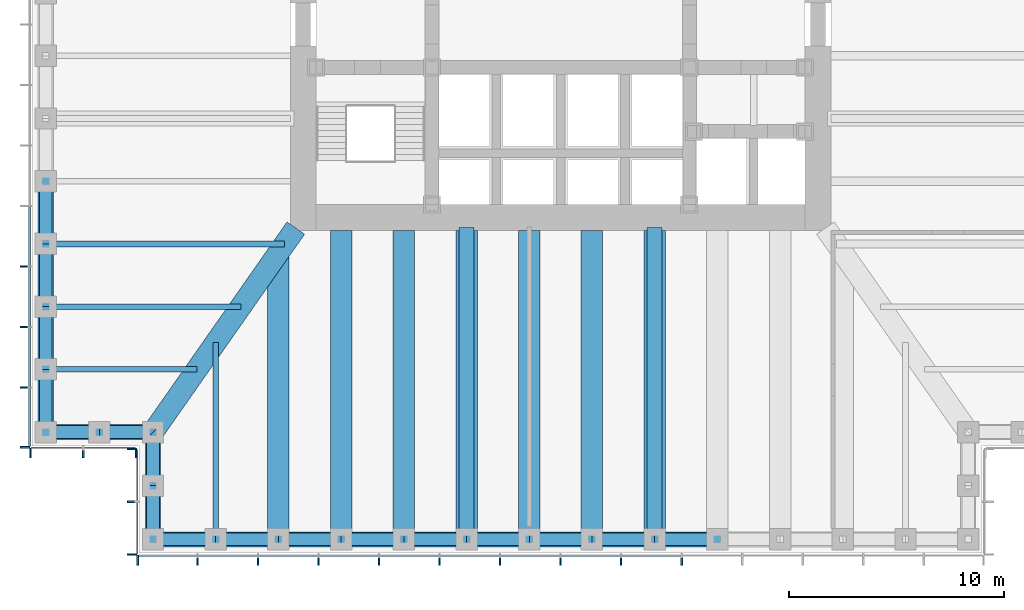
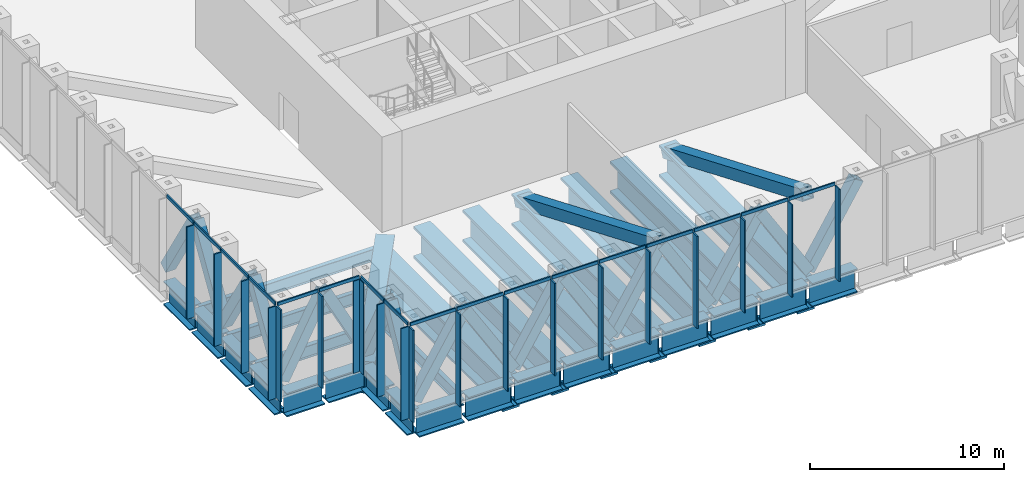
# One storey, part 2 of 15: 56 members, 29 beams, 4 elements without a shape of their own.
"""IFC4 building model written with IfcOpenShell, lengths in metres."""

from ifc_helpers import new_model, si_unit, direction, frame, origin, origin_2d, place, context, subcontext, project, spatial, rectangle, hollow_rectangle, i_section, extrude, material, material_profile, profile_set, type_object, element, aggregate, save


model = new_model("IFC4")

# Units and contexts
model_context = context("Model", 3, precision=1e-05, world=origin(), true_north=direction((0.0, 1.0)))
body_context = subcontext(model_context, "Body", "Model", "MODEL_VIEW")
ifc_project = project(units=[si_unit("LENGTHUNIT", "METRE"), si_unit("AREAUNIT", "SQUARE_METRE"), si_unit("VOLUMEUNIT", "CUBIC_METRE"), si_unit("PLANEANGLEUNIT", "RADIAN"), si_unit("MASSUNIT", "GRAM", prefix="KILO")], contexts=[model_context])

# Site, building, storey
site_placement = place(None, origin())
site = spatial("IfcSite", under=ifc_project, at=site_placement, CompositionType="ELEMENT")
building_placement = place(site_placement, origin())
building = spatial("IfcBuilding", under=site, at=building_placement, Name="Daluyong Arena Tower", CompositionType="ELEMENT")
storey_placement = place(building_placement, frame((0.0, 0.0, 102.10009765625)))
storey = spatial("IfcBuildingStorey", under=building, at=storey_placement, Name="L22", CompositionType="ELEMENT", Elevation=102.10009765625)

# Members
ifc_material_1 = material(Name="Steel ASTM A572 Grade 50", Category="steel")
ifc_material_profile_1 = material_profile(ifc_material_1, hollow_rectangle(XDim=0.60009765625, YDim=0.60009765625, WallThickness=0.05, at=origin_2d()))
ifc_profile_set_1 = profile_set([ifc_material_profile_1], Name="Steel ASTM A572 Grade 50")
member_type_1 = type_object("IfcMemberType", Name="Belt truss diagonal BX600X50", PredefinedType="BRACE", material=ifc_profile_set_1)
for number, where, z_axis, x_axis, name in (
    (1, (37.0, 56.0, 0.5), (0.524099867959, 0.0, 0.851656813749), (0.0, 1.0, 0.0), "belt truss diagonal BT1"),
    (2, (42.84619140625, 56.0, 0.5), (-0.524099867959, 0.0, 0.851656813749), (0.0, -1.0, 0.0), "belt truss diagonal BT1"),
    (3, (42.84619140625, 56.0, 0.5), (0.524099867959, 0.0, 0.851656813749), (0.0, 1.0, 0.0), "belt truss diagonal BT1"),
    (4, (48.6923828125, 56.0, 0.5), (-0.524099867959, 0.0, 0.851656813749), (0.0, -1.0, 0.0), "belt truss diagonal BT1"),
    (5, (48.6923828125, 56.0, 0.5), (0.524099867959, 0.0, 0.851656813749), (0.0, 1.0, 0.0), "belt truss diagonal BT1"),
    (6, (54.53857421875, 56.0, 0.5), (-0.524099867959, 0.0, 0.851656813749), (0.0, -1.0, 0.0), "belt truss diagonal BT1"),
):
    element("IfcMember", number, at=place(storey_placement, frame(where, z_axis=z_axis, x_axis=x_axis)), inside=storey, type_object=member_type_1, Name=name, PredefinedType="BRACE", context=body_context, shape_type="SweptSolid", body=[
        extrude(hollow_rectangle(XDim=0.60009765625, YDim=0.60009765625, WallThickness=0.05, at=origin_2d()), origin(), (0.0, 0.0, 1.0), 5.577392578125),
    ])
member_1_placement = place(storey_placement, frame((54.53857421875, 56.0, 0.5), z_axis=(0.524068117116, 0.0, 0.851676352039), x_axis=(0.0, 1.0, 0.0)))
element("IfcMember", 7, at=member_1_placement, inside=storey, type_object=member_type_1, Name="belt truss diagonal BT1", PredefinedType="BRACE", context=body_context, shape_type="SweptSolid", body=[
    extrude(hollow_rectangle(XDim=0.60009765625, YDim=0.60009765625, WallThickness=0.05, at=origin_2d()), origin(), (0.0, 0.0, 1.0), 5.5771484375),
])
for number, where, z_axis, x_axis, name in (
    (8, (60.384521484375, 56.0, 0.5), (-0.524099867959, 0.0, 0.851656813749), (0.0, -1.0, 0.0), "belt truss diagonal BT1"),
    (9, (60.384521484375, 56.0, 0.5), (0.524099867959, 0.0, 0.851656813749), (0.0, 1.0, 0.0), "belt truss diagonal BT1"),
    (10, (32.0, 72.6923828125, 0.5), (0.0, -0.524099867959, 0.851656813749), (1.0, 0.0, 0.0), "belt truss diagonal BT1"),
    (11, (32.0, 66.84619140625, 0.5), (0.0, 0.524099867959, 0.851656813749), (-1.0, 0.0, 0.0), "belt truss diagonal BT1"),
    (12, (32.0, 66.84619140625, 0.5), (0.0, -0.524099867959, 0.851656813749), (1.0, 0.0, 0.0), "belt truss diagonal BT1"),
    (13, (32.0, 61.0, 0.5), (0.0, 0.524099867959, 0.851656813749), (-1.0, 0.0, 0.0), "belt truss diagonal BT1"),
):
    element("IfcMember", number, at=place(storey_placement, frame(where, z_axis=z_axis, x_axis=x_axis)), inside=storey, type_object=member_type_1, Name=name, PredefinedType="BRACE", context=body_context, shape_type="SweptSolid", body=[
        extrude(hollow_rectangle(XDim=0.60009765625, YDim=0.60009765625, WallThickness=0.05, at=origin_2d()), origin(), (0.0, 0.0, 1.0), 5.577392578125),
    ])
for number, where, z_axis, x_axis, name in (
    (14, (32.0, 61.0, 0.5), (0.465746432833, 0.0, 0.884918222382), (0.0, 1.0, 0.0), "belt truss diagonal BT1"),
    (15, (37.0, 61.0, 0.5), (-0.465746432833, 0.0, 0.884918222382), (0.0, -1.0, 0.0), "belt truss diagonal BT1"),
    (16, (37.0, 61.0, 0.5), (0.0, -0.465746432833, 0.884918222382), (1.0, 0.0, 0.0), "belt truss diagonal BT1"),
    (17, (37.0, 56.0, 0.5), (0.0, 0.465746432833, 0.884918222382), (-1.0, 0.0, 0.0), "belt truss diagonal BT1"),
):
    element("IfcMember", number, at=place(storey_placement, frame(where, z_axis=z_axis, x_axis=x_axis)), inside=storey, type_object=member_type_1, Name=name, PredefinedType="BRACE", context=body_context, shape_type="SweptSolid", body=[
        extrude(hollow_rectangle(XDim=0.60009765625, YDim=0.60009765625, WallThickness=0.05, at=origin_2d()), origin(), (0.0, 0.0, 1.0), 5.36767578125),
    ])

# Curtain wall, members
ifc_material_2 = material(Name="Bronze anodised aluminium and glass", Category="aluminium")
curtain_wall_type = type_object("IfcCurtainWallType", Name="Curtain wall CW6", PredefinedType="USERDEFINED", material=ifc_material_2)
curtain_wall_1_placement = place(storey_placement, origin())
curtain_wall_1 = element("IfcCurtainWall", 18, at=curtain_wall_1_placement, inside=storey, type_object=curtain_wall_type, Name="curtain wall L22 S", ObjectType="UNITISED CURTAIN WALL", PredefinedType="USERDEFINED")
ifc_material_3 = material(Name="Bronze anodised aluminium fin", Category="aluminium")
ifc_material_profile_2 = material_profile(ifc_material_3, rectangle(XDim=0.449951171875, YDim=0.080078125, at=origin_2d()))
ifc_profile_set_2 = profile_set([ifc_material_profile_2], Name="Bronze anodised aluminium fin")
member_type_2 = type_object("IfcMemberType", Name="CW6 bronze fin 450x80", PredefinedType="MULLION", material=ifc_profile_set_2)
member_2_placement = place(storey_placement, frame((36.2900390625, 55.02490234375, 0.0), z_axis=(0.0, 0.0, 1.0), x_axis=(0.0, 1.0, 0.0)))
member_2 = element("IfcMember", 19, at=member_2_placement, type_object=member_type_2, Name="curtain wall L22 S fin 1", PredefinedType="MULLION", context=body_context, shape_type="SweptSolid", body=[
    extrude(rectangle(XDim=0.449951171875, YDim=0.080078125, at=origin_2d()), origin(), (0.0, 0.0, 1.0), 5.7998046875),
])
member_3_placement = place(storey_placement, frame((39.071533203125, 55.02490234375, 0.0), z_axis=(0.0, 0.0, 1.0), x_axis=(0.0, 1.0, 0.0)))
member_3 = element("IfcMember", 20, at=member_3_placement, type_object=member_type_2, Name="curtain wall L22 S fin 2", PredefinedType="MULLION", context=body_context, shape_type="SweptSolid", body=[
    extrude(rectangle(XDim=0.449951171875, YDim=0.080078125, at=origin_2d()), origin(), (0.0, 0.0, 1.0), 5.7998046875),
])
member_4_placement = place(storey_placement, frame((41.892822265625, 55.02490234375, 0.0), z_axis=(0.0, 0.0, 1.0), x_axis=(0.0, 1.0, 0.0)))
member_4 = element("IfcMember", 21, at=member_4_placement, type_object=member_type_2, Name="curtain wall L22 S fin 3", PredefinedType="MULLION", context=body_context, shape_type="SweptSolid", body=[
    extrude(rectangle(XDim=0.449951171875, YDim=0.080078125, at=origin_2d()), origin(), (0.0, 0.0, 1.0), 5.7998046875),
])
member_5_placement = place(storey_placement, frame((44.71435546875, 55.02490234375, 0.0), z_axis=(0.0, 0.0, 1.0), x_axis=(0.0, 1.0, 0.0)))
member_5 = element("IfcMember", 22, at=member_5_placement, type_object=member_type_2, Name="curtain wall L22 S fin 4", PredefinedType="MULLION", context=body_context, shape_type="SweptSolid", body=[
    extrude(rectangle(XDim=0.449951171875, YDim=0.080078125, at=origin_2d()), origin(), (0.0, 0.0, 1.0), 5.7998046875),
])
member_6_placement = place(storey_placement, frame((47.53564453125, 55.02490234375, 0.0), z_axis=(0.0, 0.0, 1.0), x_axis=(0.0, 1.0, 0.0)))
member_6 = element("IfcMember", 23, at=member_6_placement, type_object=member_type_2, Name="curtain wall L22 S fin 5", PredefinedType="MULLION", context=body_context, shape_type="SweptSolid", body=[
    extrude(rectangle(XDim=0.449951171875, YDim=0.080078125, at=origin_2d()), origin(), (0.0, 0.0, 1.0), 5.7998046875),
])
member_7_placement = place(storey_placement, frame((50.357177734375, 55.02490234375, 0.0), z_axis=(0.0, 0.0, 1.0), x_axis=(0.0, 1.0, 0.0)))
member_7 = element("IfcMember", 24, at=member_7_placement, type_object=member_type_2, Name="curtain wall L22 S fin 6", PredefinedType="MULLION", context=body_context, shape_type="SweptSolid", body=[
    extrude(rectangle(XDim=0.449951171875, YDim=0.080078125, at=origin_2d()), origin(), (0.0, 0.0, 1.0), 5.7998046875),
])
member_8_placement = place(storey_placement, frame((53.178466796875, 55.02490234375, 0.0), z_axis=(0.0, 0.0, 1.0), x_axis=(0.0, 1.0, 0.0)))
member_8 = element("IfcMember", 25, at=member_8_placement, type_object=member_type_2, Name="curtain wall L22 S fin 7", PredefinedType="MULLION", context=body_context, shape_type="SweptSolid", body=[
    extrude(rectangle(XDim=0.449951171875, YDim=0.080078125, at=origin_2d()), origin(), (0.0, 0.0, 1.0), 5.7998046875),
])
member_9_placement = place(storey_placement, frame((56.0, 55.02490234375, 0.0), z_axis=(0.0, 0.0, 1.0), x_axis=(0.0, 1.0, 0.0)))
member_9 = element("IfcMember", 26, at=member_9_placement, type_object=member_type_2, Name="curtain wall L22 S fin 8", PredefinedType="MULLION", context=body_context, shape_type="SweptSolid", body=[
    extrude(rectangle(XDim=0.449951171875, YDim=0.080078125, at=origin_2d()), origin(), (0.0, 0.0, 1.0), 5.7998046875),
])
member_10_placement = place(storey_placement, frame((58.821533203125, 55.02490234375, 0.0), z_axis=(0.0, 0.0, 1.0), x_axis=(0.0, 1.0, 0.0)))
member_10 = element("IfcMember", 27, at=member_10_placement, type_object=member_type_2, Name="curtain wall L22 S fin 9", PredefinedType="MULLION", context=body_context, shape_type="SweptSolid", body=[
    extrude(rectangle(XDim=0.449951171875, YDim=0.080078125, at=origin_2d()), origin(), (0.0, 0.0, 1.0), 5.7998046875),
])
member_11_placement = place(storey_placement, frame((61.642822265625, 55.02490234375, 0.0), z_axis=(0.0, 0.0, 1.0), x_axis=(0.0, 1.0, 0.0)))
member_11 = element("IfcMember", 28, at=member_11_placement, type_object=member_type_2, Name="curtain wall L22 S fin 10", PredefinedType="MULLION", context=body_context, shape_type="SweptSolid", body=[
    extrude(rectangle(XDim=0.449951171875, YDim=0.080078125, at=origin_2d()), origin(), (0.0, 0.0, 1.0), 5.7998046875),
])

curtain_wall_2_placement = place(storey_placement, origin())
curtain_wall_2 = element("IfcCurtainWall", 29, at=curtain_wall_2_placement, inside=storey, type_object=curtain_wall_type, Name="curtain wall L22 W", ObjectType="UNITISED CURTAIN WALL", PredefinedType="USERDEFINED")
member_12_placement = place(storey_placement, frame((31.02490234375, 68.71435546875, 0.0), z_axis=(0.0, 0.0, 1.0), x_axis=(1.0, 0.0, 0.0)))
member_12 = element("IfcMember", 30, at=member_12_placement, type_object=member_type_2, Name="curtain wall L22 W fin 12", PredefinedType="MULLION", context=body_context, shape_type="SweptSolid", body=[
    extrude(rectangle(XDim=0.449951171875, YDim=0.080078125, at=origin_2d()), origin(), (0.0, 0.0, 1.0), 5.7998046875),
])
member_13_placement = place(storey_placement, frame((31.02490234375, 65.892822265625, 0.0), z_axis=(0.0, 0.0, 1.0), x_axis=(1.0, 0.0, 0.0)))
member_13 = element("IfcMember", 31, at=member_13_placement, type_object=member_type_2, Name="curtain wall L22 W fin 13", PredefinedType="MULLION", context=body_context, shape_type="SweptSolid", body=[
    extrude(rectangle(XDim=0.449951171875, YDim=0.080078125, at=origin_2d()), origin(), (0.0, 0.0, 1.0), 5.7998046875),
])
member_14_placement = place(storey_placement, frame((31.02490234375, 63.071533203125, 0.0), z_axis=(0.0, 0.0, 1.0), x_axis=(1.0, 0.0, 0.0)))
member_14 = element("IfcMember", 32, at=member_14_placement, type_object=member_type_2, Name="curtain wall L22 W fin 14", PredefinedType="MULLION", context=body_context, shape_type="SweptSolid", body=[
    extrude(rectangle(XDim=0.449951171875, YDim=0.080078125, at=origin_2d()), origin(), (0.0, 0.0, 1.0), 5.7998046875),
])
member_15_placement = place(storey_placement, frame((31.02490234375, 60.2900390625, 0.0), z_axis=(0.0, 0.0, 1.0), x_axis=(1.0, 0.0, 0.0)))
member_15 = element("IfcMember", 33, at=member_15_placement, type_object=member_type_2, Name="curtain wall L22 W fin 15", PredefinedType="MULLION", context=body_context, shape_type="SweptSolid", body=[
    extrude(rectangle(XDim=0.449951171875, YDim=0.080078125, at=origin_2d()), origin(), (0.0, 0.0, 1.0), 5.7998046875),
])

curtain_wall_3_placement = place(storey_placement, origin())
curtain_wall_3 = element("IfcCurtainWall", 34, at=curtain_wall_3_placement, inside=storey, type_object=curtain_wall_type, Name="curtain wall L22 SW-S", ObjectType="UNITISED CURTAIN WALL", PredefinedType="USERDEFINED")
member_16_placement = place(storey_placement, frame((31.2900390625, 60.02490234375, 0.0), z_axis=(0.0, 0.0, 1.0), x_axis=(0.0, 1.0, 0.0)))
member_16 = element("IfcMember", 35, at=member_16_placement, type_object=member_type_2, Name="curtain wall L22 SW-S fin 1", PredefinedType="MULLION", context=body_context, shape_type="SweptSolid", body=[
    extrude(rectangle(XDim=0.449951171875, YDim=0.080078125, at=origin_2d()), origin(), (0.0, 0.0, 1.0), 5.7998046875),
])
member_17_placement = place(storey_placement, frame((33.75, 60.02490234375, 0.0), z_axis=(0.0, 0.0, 1.0), x_axis=(0.0, 1.0, 0.0)))
member_17 = element("IfcMember", 36, at=member_17_placement, type_object=member_type_2, Name="curtain wall L22 SW-S fin 2", PredefinedType="MULLION", context=body_context, shape_type="SweptSolid", body=[
    extrude(rectangle(XDim=0.449951171875, YDim=0.080078125, at=origin_2d()), origin(), (0.0, 0.0, 1.0), 5.7998046875),
])
member_18_placement = place(storey_placement, frame((36.2099609375, 60.02490234375, 0.0), z_axis=(0.0, 0.0, 1.0), x_axis=(0.0, 1.0, 0.0)))
member_18 = element("IfcMember", 37, at=member_18_placement, type_object=member_type_2, Name="curtain wall L22 SW-S fin 3", PredefinedType="MULLION", context=body_context, shape_type="SweptSolid", body=[
    extrude(rectangle(XDim=0.449951171875, YDim=0.080078125, at=origin_2d()), origin(), (0.0, 0.0, 1.0), 5.7998046875),
])

curtain_wall_4_placement = place(storey_placement, origin())
curtain_wall_4 = element("IfcCurtainWall", 38, at=curtain_wall_4_placement, inside=storey, type_object=curtain_wall_type, Name="curtain wall L22 SW-W", ObjectType="UNITISED CURTAIN WALL", PredefinedType="USERDEFINED")
member_19_placement = place(storey_placement, frame((36.02490234375, 60.2099609375, 0.0), z_axis=(0.0, 0.0, 1.0), x_axis=(1.0, 0.0, 0.0)))
member_19 = element("IfcMember", 39, at=member_19_placement, type_object=member_type_2, Name="curtain wall L22 SW-W fin 1", PredefinedType="MULLION", context=body_context, shape_type="SweptSolid", body=[
    extrude(rectangle(XDim=0.449951171875, YDim=0.080078125, at=origin_2d()), origin(), (0.0, 0.0, 1.0), 5.7998046875),
])
member_20_placement = place(storey_placement, frame((36.02490234375, 57.75, 0.0), z_axis=(0.0, 0.0, 1.0), x_axis=(1.0, 0.0, 0.0)))
member_20 = element("IfcMember", 40, at=member_20_placement, type_object=member_type_2, Name="curtain wall L22 SW-W fin 2", PredefinedType="MULLION", context=body_context, shape_type="SweptSolid", body=[
    extrude(rectangle(XDim=0.449951171875, YDim=0.080078125, at=origin_2d()), origin(), (0.0, 0.0, 1.0), 5.7998046875),
])
member_21_placement = place(storey_placement, frame((36.02490234375, 55.2900390625, 0.0), z_axis=(0.0, 0.0, 1.0), x_axis=(1.0, 0.0, 0.0)))
member_21 = element("IfcMember", 41, at=member_21_placement, type_object=member_type_2, Name="curtain wall L22 SW-W fin 3", PredefinedType="MULLION", context=body_context, shape_type="SweptSolid", body=[
    extrude(rectangle(XDim=0.449951171875, YDim=0.080078125, at=origin_2d()), origin(), (0.0, 0.0, 1.0), 5.7998046875),
])

# Member
ifc_material_4 = material(Name="Bronze anodised aluminium", Category="aluminium")
ifc_material_profile_3 = material_profile(ifc_material_4, rectangle(XDim=0.080078125, YDim=0.199951171875, at=origin_2d()))
ifc_profile_set_3 = profile_set([ifc_material_profile_3], Name="Bronze anodised aluminium")
member_type_3 = type_object("IfcMemberType", Name="CW6 stack transom 200x80", PredefinedType="USERDEFINED", material=ifc_profile_set_3)
member_22_placement = place(storey_placement, frame((36.330078125, 55.25, 5.89990234375), z_axis=(1.0, 0.0, 0.0), x_axis=(0.0, 1.0, 0.0)))
member_22 = element("IfcMember", 42, at=member_22_placement, type_object=member_type_3, Name="curtain wall L22 S transom 1", ObjectType="TRANSOM", PredefinedType="USERDEFINED", context=body_context, shape_type="SweptSolid", body=[
    extrude(rectangle(XDim=0.080078125, YDim=0.199951171875, at=origin_2d()), origin(), (0.0, 0.0, 1.0), 2.701416015625),
])

member_23_placement = place(storey_placement, frame((39.111328125, 55.25, 5.89990234375), z_axis=(1.0, 0.0, 0.0), x_axis=(0.0, 1.0, 0.0)))
member_23 = element("IfcMember", 43, at=member_23_placement, type_object=member_type_3, Name="curtain wall L22 S transom 2", ObjectType="TRANSOM", PredefinedType="USERDEFINED", context=body_context, shape_type="SweptSolid", body=[
    extrude(rectangle(XDim=0.080078125, YDim=0.199951171875, at=origin_2d()), origin(), (0.0, 0.0, 1.0), 2.741455078125),
])

member_24_placement = place(storey_placement, frame((41.932861328125, 55.25, 5.89990234375), z_axis=(1.0, 0.0, 0.0), x_axis=(0.0, 1.0, 0.0)))
member_24 = element("IfcMember", 44, at=member_24_placement, type_object=member_type_3, Name="curtain wall L22 S transom 3", ObjectType="TRANSOM", PredefinedType="USERDEFINED", context=body_context, shape_type="SweptSolid", body=[
    extrude(rectangle(XDim=0.080078125, YDim=0.199951171875, at=origin_2d()), origin(), (0.0, 0.0, 1.0), 2.741455078125),
])

member_25_placement = place(storey_placement, frame((44.75439453125, 55.25, 5.89990234375), z_axis=(1.0, 0.0, 0.0), x_axis=(0.0, 1.0, 0.0)))
member_25 = element("IfcMember", 45, at=member_25_placement, type_object=member_type_3, Name="curtain wall L22 S transom 4", ObjectType="TRANSOM", PredefinedType="USERDEFINED", context=body_context, shape_type="SweptSolid", body=[
    extrude(rectangle(XDim=0.080078125, YDim=0.199951171875, at=origin_2d()), origin(), (0.0, 0.0, 1.0), 2.7412109375),
])

member_26_placement = place(storey_placement, frame((47.57568359375, 55.25, 5.89990234375), z_axis=(1.0, 0.0, 0.0), x_axis=(0.0, 1.0, 0.0)))
member_26 = element("IfcMember", 46, at=member_26_placement, type_object=member_type_3, Name="curtain wall L22 S transom 5", ObjectType="TRANSOM", PredefinedType="USERDEFINED", context=body_context, shape_type="SweptSolid", body=[
    extrude(rectangle(XDim=0.080078125, YDim=0.199951171875, at=origin_2d()), origin(), (0.0, 0.0, 1.0), 2.741455078125),
])

member_27_placement = place(storey_placement, frame((50.397216796875, 55.25, 5.89990234375), z_axis=(1.0, 0.0, 0.0), x_axis=(0.0, 1.0, 0.0)))
member_27 = element("IfcMember", 47, at=member_27_placement, type_object=member_type_3, Name="curtain wall L22 S transom 6", ObjectType="TRANSOM", PredefinedType="USERDEFINED", context=body_context, shape_type="SweptSolid", body=[
    extrude(rectangle(XDim=0.080078125, YDim=0.199951171875, at=origin_2d()), origin(), (0.0, 0.0, 1.0), 2.741455078125),
])

member_28_placement = place(storey_placement, frame((53.218505859375, 55.25, 5.89990234375), z_axis=(1.0, 0.0, 0.0), x_axis=(0.0, 1.0, 0.0)))
member_28 = element("IfcMember", 48, at=member_28_placement, type_object=member_type_3, Name="curtain wall L22 S transom 7", ObjectType="TRANSOM", PredefinedType="USERDEFINED", context=body_context, shape_type="SweptSolid", body=[
    extrude(rectangle(XDim=0.080078125, YDim=0.199951171875, at=origin_2d()), origin(), (0.0, 0.0, 1.0), 2.741455078125),
])

member_29_placement = place(storey_placement, frame((56.0400390625, 55.25, 5.89990234375), z_axis=(1.0, 0.0, 0.0), x_axis=(0.0, 1.0, 0.0)))
member_29 = element("IfcMember", 49, at=member_29_placement, type_object=member_type_3, Name="curtain wall L22 S transom 8", ObjectType="TRANSOM", PredefinedType="USERDEFINED", context=body_context, shape_type="SweptSolid", body=[
    extrude(rectangle(XDim=0.080078125, YDim=0.199951171875, at=origin_2d()), origin(), (0.0, 0.0, 1.0), 2.741455078125),
])

member_30_placement = place(storey_placement, frame((58.861328125, 55.25, 5.89990234375), z_axis=(1.0, 0.0, 0.0), x_axis=(0.0, 1.0, 0.0)))
member_30 = element("IfcMember", 50, at=member_30_placement, type_object=member_type_3, Name="curtain wall L22 S transom 9", ObjectType="TRANSOM", PredefinedType="USERDEFINED", context=body_context, shape_type="SweptSolid", body=[
    extrude(rectangle(XDim=0.080078125, YDim=0.199951171875, at=origin_2d()), origin(), (0.0, 0.0, 1.0), 2.741455078125),
])

aggregate(curtain_wall_1, [member_2, member_3, member_4, member_5, member_6, member_7, member_8, member_9, member_10, member_11, member_22, member_23, member_24, member_25, member_26, member_27, member_28, member_29, member_30])

member_31_placement = place(storey_placement, frame((31.25, 71.49560546875, 5.89990234375), z_axis=(0.0, -1.0, 0.0), x_axis=(1.0, 0.0, 0.0)))
member_31 = element("IfcMember", 51, at=member_31_placement, type_object=member_type_3, Name="curtain wall L22 W transom 11", ObjectType="TRANSOM", PredefinedType="USERDEFINED", context=body_context, shape_type="SweptSolid", body=[
    extrude(rectangle(XDim=0.080078125, YDim=0.199951171875, at=origin_2d()), origin(), (0.0, 0.0, 1.0), 2.7412109375),
])

member_32_placement = place(storey_placement, frame((31.25, 68.67431640625, 5.89990234375), z_axis=(0.0, -1.0, 0.0), x_axis=(1.0, 0.0, 0.0)))
member_32 = element("IfcMember", 52, at=member_32_placement, type_object=member_type_3, Name="curtain wall L22 W transom 12", ObjectType="TRANSOM", PredefinedType="USERDEFINED", context=body_context, shape_type="SweptSolid", body=[
    extrude(rectangle(XDim=0.080078125, YDim=0.199951171875, at=origin_2d()), origin(), (0.0, 0.0, 1.0), 2.741455078125),
])

member_33_placement = place(storey_placement, frame((31.25, 65.852783203125, 5.89990234375), z_axis=(0.0, -1.0, 0.0), x_axis=(1.0, 0.0, 0.0)))
member_33 = element("IfcMember", 53, at=member_33_placement, type_object=member_type_3, Name="curtain wall L22 W transom 13", ObjectType="TRANSOM", PredefinedType="USERDEFINED", context=body_context, shape_type="SweptSolid", body=[
    extrude(rectangle(XDim=0.080078125, YDim=0.199951171875, at=origin_2d()), origin(), (0.0, 0.0, 1.0), 2.741455078125),
])

member_34_placement = place(storey_placement, frame((31.25, 63.031494140625, 5.89990234375), z_axis=(0.0, -1.0, 0.0), x_axis=(1.0, 0.0, 0.0)))
member_34 = element("IfcMember", 54, at=member_34_placement, type_object=member_type_3, Name="curtain wall L22 W transom 14", ObjectType="TRANSOM", PredefinedType="USERDEFINED", context=body_context, shape_type="SweptSolid", body=[
    extrude(rectangle(XDim=0.080078125, YDim=0.199951171875, at=origin_2d()), origin(), (0.0, 0.0, 1.0), 2.701416015625),
])

aggregate(curtain_wall_2, [member_12, member_13, member_14, member_15, member_31, member_32, member_33, member_34])

member_35_placement = place(storey_placement, frame((31.330078125, 60.25, 5.89990234375), z_axis=(1.0, 0.0, 0.0), x_axis=(0.0, 1.0, 0.0)))
member_35 = element("IfcMember", 55, at=member_35_placement, type_object=member_type_3, Name="curtain wall L22 SW-S transom 1", ObjectType="TRANSOM", PredefinedType="USERDEFINED", context=body_context, shape_type="SweptSolid", body=[
    extrude(rectangle(XDim=0.080078125, YDim=0.199951171875, at=origin_2d()), origin(), (0.0, 0.0, 1.0), 2.3798828125),
])

member_36_placement = place(storey_placement, frame((33.7900390625, 60.25, 5.89990234375), z_axis=(1.0, 0.0, 0.0), x_axis=(0.0, 1.0, 0.0)))
member_36 = element("IfcMember", 56, at=member_36_placement, type_object=member_type_3, Name="curtain wall L22 SW-S transom 2", ObjectType="TRANSOM", PredefinedType="USERDEFINED", context=body_context, shape_type="SweptSolid", body=[
    extrude(rectangle(XDim=0.080078125, YDim=0.199951171875, at=origin_2d()), origin(), (0.0, 0.0, 1.0), 2.3798828125),
])

aggregate(curtain_wall_3, [member_16, member_17, member_18, member_35, member_36])

member_37_placement = place(storey_placement, frame((36.25, 60.169921875, 5.89990234375), z_axis=(0.0, -1.0, 0.0), x_axis=(1.0, 0.0, 0.0)))
member_37 = element("IfcMember", 57, at=member_37_placement, type_object=member_type_3, Name="curtain wall L22 SW-W transom 1", ObjectType="TRANSOM", PredefinedType="USERDEFINED", context=body_context, shape_type="SweptSolid", body=[
    extrude(rectangle(XDim=0.080078125, YDim=0.199951171875, at=origin_2d()), origin(), (0.0, 0.0, 1.0), 2.3798828125),
])

member_38_placement = place(storey_placement, frame((36.25, 57.7099609375, 5.89990234375), z_axis=(0.0, -1.0, 0.0), x_axis=(1.0, 0.0, 0.0)))
member_38 = element("IfcMember", 58, at=member_38_placement, type_object=member_type_3, Name="curtain wall L22 SW-W transom 2", ObjectType="TRANSOM", PredefinedType="USERDEFINED", context=body_context, shape_type="SweptSolid", body=[
    extrude(rectangle(XDim=0.080078125, YDim=0.199951171875, at=origin_2d()), origin(), (0.0, 0.0, 1.0), 2.3798828125),
])

aggregate(curtain_wall_4, [member_19, member_20, member_21, member_37, member_38])

# Beams
ifc_material_5 = material(Name="Steel ASTM A588 Grade 50", Category="steel")
ifc_material_profile_4 = material_profile(ifc_material_5, i_section(OverallWidth=1.0, OverallDepth=2.0, WebThickness=0.06, FlangeThickness=0.15, at=origin_2d()))
ifc_profile_set_4 = profile_set([ifc_material_profile_4], Name="Steel ASTM A588 Grade 50")
beam_type_1 = type_object("IfcBeamType", Name="Corner girder PG2000X1000", PredefinedType="BEAM", material=ifc_profile_set_4)
beam_1_placement = place(storey_placement, frame((37.06591796875, 61.09423828125, -1.25), z_axis=(0.573466621875, 0.819228926244, 0.0), x_axis=(-0.819228926244, 0.573466621875, 0.0)))
element("IfcBeam", 59, at=beam_1_placement, inside=storey, type_object=beam_type_1, Name="corner girder DG3", PredefinedType="BEAM", context=body_context, shape_type="SweptSolid", body=[
    extrude(i_section(OverallWidth=1.0, OverallDepth=2.0, WebThickness=0.06, FlangeThickness=0.15, at=origin_2d()), origin(), (0.0, 0.0, 1.0), 11.49169921875),
])
ifc_material_6 = material(Name="Steel ASTM A588 Grade 50", Category="steel")
ifc_material_profile_5 = material_profile(ifc_material_6, i_section(OverallWidth=1.0, OverallDepth=2.0, WebThickness=0.06, FlangeThickness=0.15, at=origin_2d()))
ifc_profile_set_5 = profile_set([ifc_material_profile_5], Name="Steel ASTM A588 Grade 50")
beam_type_2 = type_object("IfcBeamType", Name="Floor beam PG2000X1000", PredefinedType="BEAM", material=ifc_profile_set_5)
beam_2_placement = place(storey_placement, frame((42.84619140625, 56.114990234375, -1.25), z_axis=(0.0, 1.0, 0.0), x_axis=(-1.0, 0.0, 0.0)))
element("IfcBeam", 60, at=beam_2_placement, inside=storey, type_object=beam_type_2, Name="floor beam FB5", PredefinedType="BEAM", context=body_context, shape_type="SweptSolid", body=[
    extrude(i_section(OverallWidth=1.0, OverallDepth=2.0, WebThickness=0.06, FlangeThickness=0.15, at=origin_2d()), origin(), (0.0, 0.0, 1.0), 13.236572265625),
])
for number, where, z_axis, x_axis, name in (
    (61, (45.769287109375, 56.114990234375, -1.25), (0.0, 1.0, 0.0), (-1.0, 0.0, 0.0), "floor beam FB5"),
    (62, (48.6923828125, 56.114990234375, -1.25), (0.0, 1.0, 0.0), (-1.0, 0.0, 0.0), "floor beam FB5"),
    (63, (51.615478515625, 56.114990234375, -1.25), (0.0, 1.0, 0.0), (-1.0, 0.0, 0.0), "floor beam FB5"),
    (64, (54.53857421875, 56.114990234375, -1.25), (0.0, 1.0, 0.0), (-1.0, 0.0, 0.0), "floor beam FB5"),
    (65, (57.46142578125, 56.114990234375, -1.25), (0.0, 1.0, 0.0), (-1.0, 0.0, 0.0), "floor beam FB5"),
    (66, (60.384521484375, 56.114990234375, -1.25), (0.0, 1.0, 0.0), (-1.0, 0.0, 0.0), "floor beam FB5"),
):
    element("IfcBeam", number, at=place(storey_placement, frame(where, z_axis=z_axis, x_axis=x_axis)), inside=storey, type_object=beam_type_2, Name=name, PredefinedType="BEAM", context=body_context, shape_type="SweptSolid", body=[
        extrude(i_section(OverallWidth=1.0, OverallDepth=2.0, WebThickness=0.06, FlangeThickness=0.15, at=origin_2d()), origin(), (0.0, 0.0, 1.0), 14.284912109375),
    ])
ifc_material_7 = material(Name="Steel ASTM A992 Grade 50", Category="steel")
ifc_material_profile_6 = material_profile(ifc_material_7, i_section(OverallWidth=0.2666015625, OverallDepth=0.761962890625, WebThickness=0.014404296875, FlangeThickness=0.021484375, at=origin_2d()))
ifc_profile_set_6 = profile_set([ifc_material_profile_6], Name="Steel ASTM A992 Grade 50")
beam_type_3 = type_object("IfcBeamType", Name="Floor beam W30X116", PredefinedType="BEAM", material=ifc_profile_set_6)
beam_3_placement = place(storey_placement, frame((39.923095703125, 56.114990234375, -0.631103515625), z_axis=(0.0, 1.0, 0.0), x_axis=(-1.0, 0.0, 0.0)))
element("IfcBeam", 67, at=beam_3_placement, inside=storey, type_object=beam_type_3, Name="floor beam FB4", PredefinedType="BEAM", context=body_context, shape_type="SweptSolid", body=[
    extrude(i_section(OverallWidth=0.2666015625, OverallDepth=0.761962890625, WebThickness=0.014404296875, FlangeThickness=0.021484375, at=origin_2d()), origin(), (0.0, 0.0, 1.0), 9.060791015625),
])
beam_4_placement = place(storey_placement, frame((32.114990234375, 69.769287109375, -0.631103515625), z_axis=(1.0, 0.0, 0.0), x_axis=(0.0, 1.0, 0.0)))
element("IfcBeam", 68, at=beam_4_placement, inside=storey, type_object=beam_type_3, Name="floor beam FB4", PredefinedType="BEAM", context=body_context, shape_type="SweptSolid", body=[
    extrude(i_section(OverallWidth=0.2666015625, OverallDepth=0.761962890625, WebThickness=0.014404296875, FlangeThickness=0.021484375, at=origin_2d()), origin(), (0.0, 0.0, 1.0), 11.0234375),
])
beam_5_placement = place(storey_placement, frame((32.114990234375, 66.84619140625, -0.631103515625), z_axis=(1.0, 0.0, 0.0), x_axis=(0.0, 1.0, 0.0)))
element("IfcBeam", 69, at=beam_5_placement, inside=storey, type_object=beam_type_3, Name="floor beam FB4", PredefinedType="BEAM", context=body_context, shape_type="SweptSolid", body=[
    extrude(i_section(OverallWidth=0.2666015625, OverallDepth=0.761962890625, WebThickness=0.014404296875, FlangeThickness=0.021484375, at=origin_2d()), origin(), (0.0, 0.0, 1.0), 8.977294921875),
])
beam_6_placement = place(storey_placement, frame((32.114990234375, 63.923095703125, -0.631103515625), z_axis=(1.0, 0.0, 0.0), x_axis=(0.0, 1.0, 0.0)))
element("IfcBeam", 70, at=beam_6_placement, inside=storey, type_object=beam_type_3, Name="floor beam FB4", PredefinedType="BEAM", context=body_context, shape_type="SweptSolid", body=[
    extrude(i_section(OverallWidth=0.2666015625, OverallDepth=0.761962890625, WebThickness=0.014404296875, FlangeThickness=0.021484375, at=origin_2d()), origin(), (0.0, 0.0, 1.0), 6.93115234375),
])

# Members
ifc_material_8 = material(Name="Steel ASTM A572 Grade 50", Category="steel")
ifc_material_profile_7 = material_profile(ifc_material_8, hollow_rectangle(XDim=0.699951171875, YDim=0.699951171875, WallThickness=0.06, at=origin_2d()))
ifc_profile_set_7 = profile_set([ifc_material_profile_7], Name="Steel ASTM A572 Grade 50")
member_type_4 = type_object("IfcMemberType", Name="Outrigger diagonal BX700X60", PredefinedType="BRACE", material=ifc_profile_set_7)
for number, where, z_axis, x_axis, name in (
    (71, (51.615478515625, 70.39990234375, -0.75), (0.0, -0.923075997031, 0.384617607118), (1.0, 0.0, 0.0), "outrigger diagonal OT1"),
    (72, (60.384521484375, 70.39990234375, -0.75), (0.0, -0.923075997031, 0.384617607118), (1.0, 0.0, 0.0), "outrigger diagonal OT1"),
):
    element("IfcMember", number, at=place(storey_placement, frame(where, z_axis=z_axis, x_axis=x_axis)), inside=storey, type_object=member_type_4, Name=name, PredefinedType="BRACE", context=body_context, shape_type="SweptSolid", body=[
        extrude(hollow_rectangle(XDim=0.699951171875, YDim=0.699951171875, WallThickness=0.06, at=origin_2d()), origin(), (0.0, 0.0, 1.0), 15.599853515625),
    ])

# Beams
ifc_material_9 = material(Name="Steel ASTM A572 Grade 50", Category="steel")
ifc_material_profile_8 = material_profile(ifc_material_9, i_section(OverallWidth=0.699951171875, OverallDepth=1.5, WebThickness=0.04, FlangeThickness=0.08, at=origin_2d()))
ifc_profile_set_8 = profile_set([ifc_material_profile_8], Name="Steel ASTM A572 Grade 50")
beam_type_4 = type_object("IfcBeamType", Name="Spandrel Z1 PG1500X700", PredefinedType="SPANDREL", material=ifc_profile_set_8)
for number, where, z_axis, x_axis, name in (
    (73, (37.114990234375, 56.0, -1.0), (1.0, 0.0, 0.0), (0.0, 1.0, 0.0), "spandrel z1 SB4"),
    (74, (40.0380859375, 56.0, -1.0), (1.0, 0.0, 0.0), (0.0, 1.0, 0.0), "spandrel z1 SB4"),
    (75, (42.961181640625, 56.0, -1.0), (1.0, 0.0, 0.0), (0.0, 1.0, 0.0), "spandrel z1 SB4"),
    (76, (45.88427734375, 56.0, -1.0), (1.0, 0.0, 0.0), (0.0, 1.0, 0.0), "spandrel z1 SB4"),
    (77, (48.807373046875, 56.0, -1.0), (1.0, 0.0, 0.0), (0.0, 1.0, 0.0), "spandrel z1 SB4"),
    (78, (51.73046875, 56.0, -1.0), (1.0, 0.0, 0.0), (0.0, 1.0, 0.0), "spandrel z1 SB4"),
):
    element("IfcBeam", number, at=place(storey_placement, frame(where, z_axis=z_axis, x_axis=x_axis)), inside=storey, type_object=beam_type_4, Name=name, PredefinedType="SPANDREL", context=body_context, shape_type="SweptSolid", body=[
        extrude(i_section(OverallWidth=0.699951171875, OverallDepth=1.5, WebThickness=0.04, FlangeThickness=0.08, at=origin_2d()), origin(), (0.0, 0.0, 1.0), 2.693115234375),
    ])
beam_7_placement = place(storey_placement, frame((54.653564453125, 56.0, -1.0), z_axis=(1.0, 0.0, 0.0), x_axis=(0.0, 1.0, 0.0)))
element("IfcBeam", 79, at=beam_7_placement, inside=storey, type_object=beam_type_4, Name="spandrel z1 SB4", PredefinedType="SPANDREL", context=body_context, shape_type="SweptSolid", body=[
    extrude(i_section(OverallWidth=0.699951171875, OverallDepth=1.5, WebThickness=0.04, FlangeThickness=0.08, at=origin_2d()), origin(), (0.0, 0.0, 1.0), 2.69287109375),
])
for number, where, z_axis, x_axis, name in (
    (80, (57.576416015625, 56.0, -1.0), (1.0, 0.0, 0.0), (0.0, 1.0, 0.0), "spandrel z1 SB4"),
    (81, (60.49951171875, 56.0, -1.0), (1.0, 0.0, 0.0), (0.0, 1.0, 0.0), "spandrel z1 SB4"),
    (82, (32.0, 72.577392578125, -1.0), (0.0, -1.0, 0.0), (1.0, 0.0, 0.0), "spandrel z1 SB4"),
    (83, (32.0, 69.654296875, -1.0), (0.0, -1.0, 0.0), (1.0, 0.0, 0.0), "spandrel z1 SB4"),
    (84, (32.0, 66.731201171875, -1.0), (0.0, -1.0, 0.0), (1.0, 0.0, 0.0), "spandrel z1 SB4"),
    (85, (32.0, 63.80810546875, -1.0), (0.0, -1.0, 0.0), (1.0, 0.0, 0.0), "spandrel z1 SB4"),
):
    element("IfcBeam", number, at=place(storey_placement, frame(where, z_axis=z_axis, x_axis=x_axis)), inside=storey, type_object=beam_type_4, Name=name, PredefinedType="SPANDREL", context=body_context, shape_type="SweptSolid", body=[
        extrude(i_section(OverallWidth=0.699951171875, OverallDepth=1.5, WebThickness=0.04, FlangeThickness=0.08, at=origin_2d()), origin(), (0.0, 0.0, 1.0), 2.693115234375),
    ])
for number, where, z_axis, x_axis, name in (
    (86, (32.114990234375, 61.0, -1.0), (1.0, 0.0, 0.0), (0.0, 1.0, 0.0), "spandrel z1 SB4"),
    (87, (34.614990234375, 61.0, -1.0), (1.0, 0.0, 0.0), (0.0, 1.0, 0.0), "spandrel z1 SB4"),
    (88, (37.0, 60.885009765625, -1.0), (0.0, -1.0, 0.0), (1.0, 0.0, 0.0), "spandrel z1 SB4"),
    (89, (37.0, 58.385009765625, -1.0), (0.0, -1.0, 0.0), (1.0, 0.0, 0.0), "spandrel z1 SB4"),
):
    element("IfcBeam", number, at=place(storey_placement, frame(where, z_axis=z_axis, x_axis=x_axis)), inside=storey, type_object=beam_type_4, Name=name, PredefinedType="SPANDREL", context=body_context, shape_type="SweptSolid", body=[
        extrude(i_section(OverallWidth=0.699951171875, OverallDepth=1.5, WebThickness=0.04, FlangeThickness=0.08, at=origin_2d()), origin(), (0.0, 0.0, 1.0), 2.27001953125),
    ])

save(model, "model.ifc")
